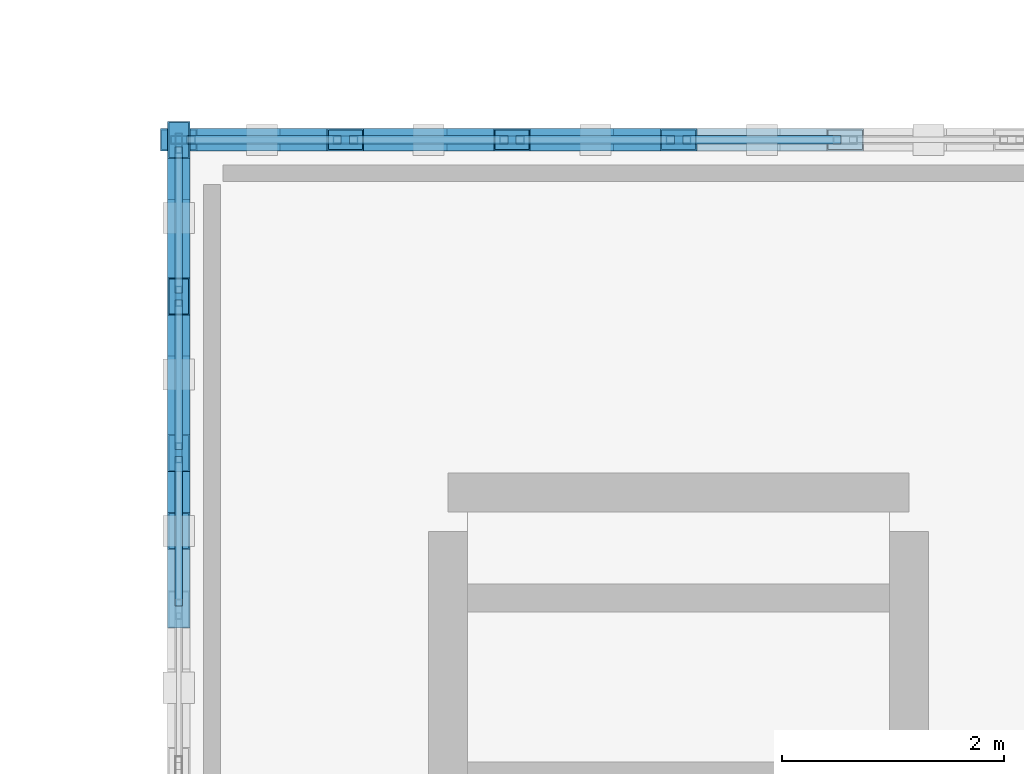
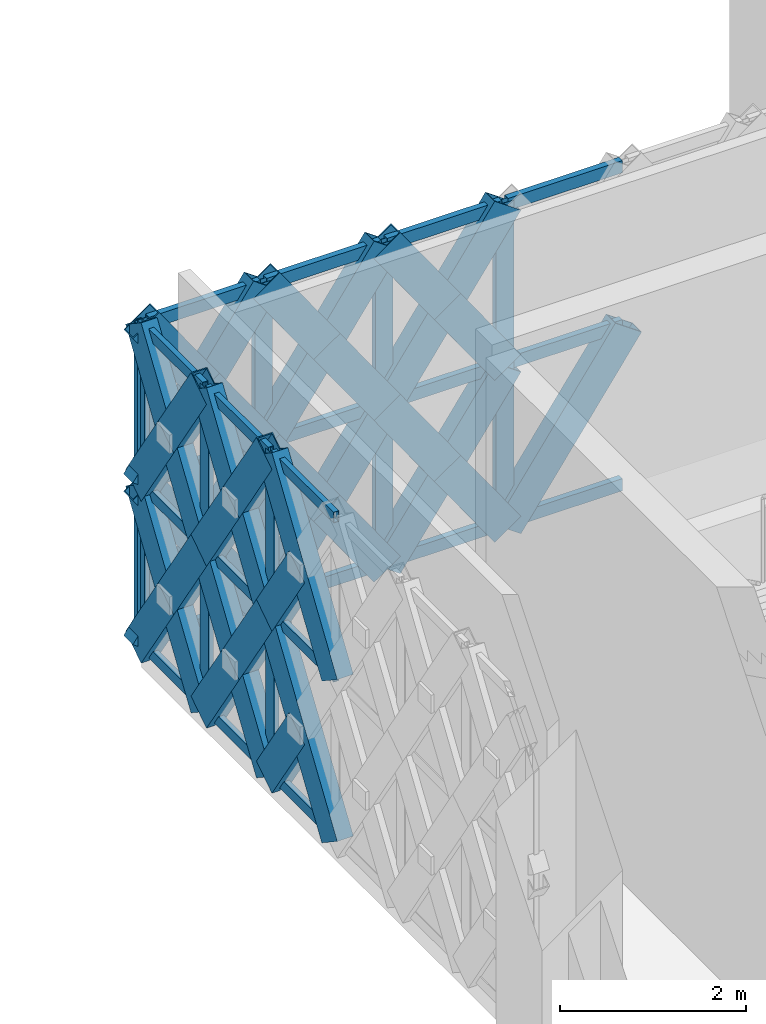
# One storey, part 51 of 140: 63 members, 2 elements without a shape of their own.
"""IFC4 building model written with IfcOpenShell, lengths in metres."""

import ifcopenshell
import ifcopenshell.guid

model = None  # the IFC model being written
_history = None  # IfcOwnerHistory: only IFC2X3 demands one
_inside = {}  # id of a spatial element -> (the spatial element, [elements in it])
_under = {}  # id of a project, library or spatial element -> (it, [spatial elements below it])
_declared = {}  # id of a project -> (the project, [libraries it declares])
_typed = {}  # id of a type object -> (the type object, [elements of that type])
_made_of = {}  # id of a material, layer set ... -> (it, [elements and type objects made of it])


def new_model(schema):
    """Start an empty IFC model of exactly this schema.

    Asked for "IFC4X3", IfcOpenShell would pick the latest addendum, in which some entities
    have other attributes; the version numbers below select the first issue.
    IFC2X3 requires an IfcOwnerHistory on every rooted entity: one is made here for all.
    """
    global model, _history
    if schema == "IFC4X3":
        model = ifcopenshell.file(schema_version=(4, 3, 0, 0))
    else:
        model = ifcopenshell.file(schema=schema)
    _inside.clear()
    _under.clear()
    _declared.clear()
    _typed.clear()
    _made_of.clear()
    _history = None
    if model.schema == "IFC2X3":
        org = make("IfcOrganization", Name="unknown")
        user = make(
            "IfcPersonAndOrganization",
            ThePerson=make("IfcPerson", FamilyName="unknown"),
            TheOrganization=org,
        )
        app = make(
            "IfcApplication",
            ApplicationDeveloper=org,
            Version="unknown",
            ApplicationFullName="unknown",
            ApplicationIdentifier="unknown",
        )
        _history = make(
            "IfcOwnerHistory",
            OwningUser=user,
            OwningApplication=app,
            ChangeAction="ADDED",
            CreationDate=0,
        )
    return model


def make(cls, **values):
    """One entity of the class cls with the attributes given. An attribute that is None is left unset."""
    return model.create_entity(
        cls, **{name: value for name, value in values.items() if value is not None}
    )


def rooted(cls, **values):
    """An entity with a GlobalId (a new one), such as an element, a storey or a relation."""
    return make(cls, GlobalId=ifcopenshell.guid.new(), OwnerHistory=_history, **values)


def si_unit(unit_type, name, prefix=None):
    """IfcSIUnit, for example si_unit("LENGTHUNIT", "METRE", prefix="MILLI")."""
    return make("IfcSIUnit", UnitType=unit_type, Prefix=prefix, Name=name)


def assignment(units):
    """IfcUnitAssignment: the units of a project."""
    return None if units is None else make("IfcUnitAssignment", Units=units)


def point(xyz):
    """IfcCartesianPoint."""
    return None if xyz is None else make("IfcCartesianPoint", Coordinates=xyz)


def direction(xyz):
    """IfcDirection."""
    return None if xyz is None else make("IfcDirection", DirectionRatios=xyz)


def frame(location, z_axis=None, x_axis=None):
    """IfcAxis2Placement3D, a coordinate frame: its origin and axes. An axis left out is left unset."""
    return make(
        "IfcAxis2Placement3D",
        Location=point(location),
        Axis=direction(z_axis),
        RefDirection=direction(x_axis),
    )


def frame_2d(location, x_axis=None):
    """IfcAxis2Placement2D, a coordinate frame in the plane: its origin and x axis."""
    return make(
        "IfcAxis2Placement2D", Location=point(location), RefDirection=direction(x_axis)
    )


def origin():
    """The frame at (0, 0, 0) with its axes left unset."""
    return frame((0.0, 0.0, 0.0))


def origin_2d():
    """The frame at (0, 0) in the plane with its x axis left unset."""
    return frame_2d((0.0, 0.0))


def place(relative_to, where):
    """IfcLocalPlacement: puts the frame where relative to a parent placement (None: the world)."""
    return make(
        "IfcLocalPlacement", PlacementRelTo=relative_to, RelativePlacement=where
    )


def context(
    kind, dimensions, precision=None, world=None, true_north=None, identifier=None
):
    """IfcGeometricRepresentationContext, for example the 3D "Model" context."""
    return make(
        "IfcGeometricRepresentationContext",
        ContextIdentifier=identifier,
        ContextType=kind,
        CoordinateSpaceDimension=dimensions,
        Precision=precision,
        WorldCoordinateSystem=world,
        TrueNorth=true_north,
    )


def subcontext(parent, identifier, kind, view, scale=None):
    """IfcGeometricRepresentationSubContext, for example "Body" below "Model"."""
    return make(
        "IfcGeometricRepresentationSubContext",
        ContextIdentifier=identifier,
        ContextType=kind,
        ParentContext=parent,
        TargetScale=scale,
        TargetView=view,
    )


def project(units=None, contexts=None):
    """IfcProject with its units and contexts."""
    return rooted(
        "IfcProject",
        Name="project",
        RepresentationContexts=contexts,
        UnitsInContext=assignment(units),
    )


def spatial(cls, under=None, at=None, **own):
    """A site, building, storey or space (cls), placed at a placement, below another one or the project."""
    s = rooted(cls, ObjectPlacement=at, **own)
    if under is not None:
        _under.setdefault(under.id(), (under, []))[1].append(s)
    return s


def profile(cls, at=None, kind="AREA", **sizes):
    """A parametric profile (cls). Its sizes go by their IFC names, for example OverallWidth=200.0."""
    return make(cls, ProfileType=kind, Position=at, **sizes)


def hollow_rectangle(**sizes):
    """IfcRectangleHollowProfileDef."""
    return profile("IfcRectangleHollowProfileDef", **sizes)


def extrude(swept, where, along, depth):
    """IfcExtrudedAreaSolid: the profile swept, set in the frame where, extruded along a direction by depth."""
    return make(
        "IfcExtrudedAreaSolid",
        SweptArea=swept,
        Position=where,
        ExtrudedDirection=direction(along),
        Depth=depth,
    )


def shape(context_of_items, identifier, shape_type, items):
    """IfcShapeRepresentation: the items that make up one representation, for example the "Body"."""
    return make(
        "IfcShapeRepresentation",
        ContextOfItems=context_of_items,
        RepresentationIdentifier=identifier,
        RepresentationType=shape_type,
        Items=items,
    )


def material(Name=None, Category=None):
    """IfcMaterial."""
    return make("IfcMaterial", Name=Name, Category=Category)


def material_profile(
    of_material, cross_section, Name=None, Category=None, Priority=None
):
    """IfcMaterialProfile: a cross section and its material."""
    return make(
        "IfcMaterialProfile",
        Name=Name,
        Material=of_material,
        Profile=cross_section,
        Priority=Priority,
        Category=Category,
    )


def profile_set(profiles, Name=None, composite=None):
    """IfcMaterialProfileSet."""
    return make(
        "IfcMaterialProfileSet",
        Name=Name,
        MaterialProfiles=profiles,
        CompositeProfile=composite,
    )


def made_of(thing, what):
    """Note that an element or type object is made of a material, layer set ...; save() writes the relation."""
    if what is not None:
        _made_of.setdefault(what.id(), (what, []))[1].append(thing)
    return thing


def type_object(cls, material=None, **own):
    """A type object (cls), such as IfcWallType, which elements share."""
    return made_of(rooted(cls, **own), material)


def element(
    cls,
    number,
    at=None,
    inside=None,
    cuts=None,
    type_object=None,
    material=None,
    context=None,
    identifier="Body",
    shape_type=None,
    held_by="IfcProductDefinitionShape",
    body=None,
    shapes=None,
    **own,
):
    """One element of the class cls, such as IfcWall. Its Tag is "e" and its number.

    at: its placement. inside: the storey or other place that contains it. cuts: it is an
    opening in that element (IfcRelVoidsElement). A single representation is given by context,
    identifier, shape_type and body (its items); several are given by shapes. held_by: the class
    of the entity that holds the representations. save() writes the other relations.
    """
    e = rooted(cls, Tag="e%d" % number, ObjectPlacement=at, **own)
    if body is not None:
        shapes = [shape(context, identifier, shape_type, body)]
    if shapes is not None:
        e.Representation = make(held_by, Representations=shapes)
    if inside is not None:
        _inside.setdefault(inside.id(), (inside, []))[1].append(e)
    if cuts is not None:
        rooted(
            "IfcRelVoidsElement", RelatingBuildingElement=cuts, RelatedOpeningElement=e
        )
    if type_object is not None:
        _typed.setdefault(type_object.id(), (type_object, []))[1].append(e)
    return made_of(e, material)


def aggregate(whole, parts):
    """IfcRelAggregates: a whole, such as a stair, and the parts it consists of."""
    return rooted("IfcRelAggregates", RelatingObject=whole, RelatedObjects=parts)


def save(model, path):
    """Write the relations noted so far, then the file.

    IfcRelAggregates (storeys below a building ...), IfcRelContainedInSpatialStructure (elements
    in a storey), IfcRelDefinesByType, IfcRelAssociatesMaterial and IfcRelDeclares: one each for
    every whole, place, type object, material and project.
    """
    for whole, parts in _under.values():
        aggregate(whole, parts)
    for where, things in _inside.values():
        rooted(
            "IfcRelContainedInSpatialStructure",
            RelatedElements=things,
            RelatingStructure=where,
        )
    for kind, things in _typed.values():
        rooted("IfcRelDefinesByType", RelatedObjects=things, RelatingType=kind)
    for what, things in _made_of.values():
        rooted("IfcRelAssociatesMaterial", RelatedObjects=things, RelatingMaterial=what)
    for by, libraries in _declared.values():
        rooted("IfcRelDeclares", RelatingContext=by, RelatedDefinitions=libraries)
    model.write(path)


model = new_model("IFC4")

# Units and contexts
model_context = context("Model", 3, precision=1e-05, world=origin(), true_north=direction((0.0, 1.0)))
body_context = subcontext(model_context, "Body", "Model", "MODEL_VIEW")
ifc_project = project(units=[si_unit("LENGTHUNIT", "METRE"), si_unit("AREAUNIT", "SQUARE_METRE"), si_unit("VOLUMEUNIT", "CUBIC_METRE"), si_unit("PLANEANGLEUNIT", "RADIAN"), si_unit("MASSUNIT", "GRAM", prefix="KILO")], contexts=[model_context])

# Site, building, storey
site_placement = place(None, origin())
site = spatial("IfcSite", under=ifc_project, at=site_placement, CompositionType="ELEMENT")
building_placement = place(site_placement, origin())
building = spatial("IfcBuilding", under=site, at=building_placement, Name="Haizhuo Lancet Aquarium", CompositionType="ELEMENT")
storey_placement = place(building_placement, origin())
storey = spatial("IfcBuildingStorey", under=building, at=storey_placement, Name="L00", CompositionType="ELEMENT", Elevation=0.0)

# Curtain wall, members
ifc_material_1 = material(Name="Aluminium 6063-T6", Category="aluminium")
curtain_wall_type_1 = type_object("IfcCurtainWallType", Name="CWD-8460x4260", PredefinedType="NOTDEFINED", material=ifc_material_1)
curtain_wall_1_placement = place(storey_placement, origin())
curtain_wall_1 = element("IfcCurtainWall", 1, at=curtain_wall_1_placement, inside=storey, type_object=curtain_wall_type_1, Name="L00 curtain wall CW-V5-L00-115", PredefinedType="NOTDEFINED")
ifc_material_profile_1 = material_profile(ifc_material_1, hollow_rectangle(XDim=0.06494140625, YDim=0.179931640625, WallThickness=0.00390625, at=origin_2d()), Name="ALU-M 65x180x4")
ifc_profile_set_1 = profile_set([ifc_material_profile_1], Name="Aluminium 6063-T6")
member_type_1 = type_object("IfcMemberType", Name="CW-MUL-1", PredefinedType="MULLION", material=ifc_profile_set_1)
member_1_placement = place(storey_placement, frame((-27.0, 51.181884765625, 0.0), z_axis=(0.0, 0.0, 1.0), x_axis=(-1.0, 0.0, 0.0)))
member_1 = element("IfcMember", 2, at=member_1_placement, type_object=member_type_1, Name="CWD-84x42 mullion 5", PredefinedType="MULLION", context=body_context, shape_type="SweptSolid", body=[
    extrude(hollow_rectangle(XDim=0.06494140625, YDim=0.179931640625, WallThickness=0.00390625, at=origin_2d()), origin(), (0.0, 0.0, 1.0), 4.2548828125),
])
member_2_placement = place(storey_placement, frame((-27.0, 52.591064453125, 0.0), z_axis=(0.0, 0.0, 1.0), x_axis=(-1.0, 0.0, 0.0)))
member_2 = element("IfcMember", 3, at=member_2_placement, type_object=member_type_1, Name="CWD-84x42 mullion 6", PredefinedType="MULLION", context=body_context, shape_type="SweptSolid", body=[
    extrude(hollow_rectangle(XDim=0.06494140625, YDim=0.179931640625, WallThickness=0.00390625, at=origin_2d()), origin(), (0.0, 0.0, 1.0), 4.2548828125),
])
member_3_placement = place(storey_placement, frame((-27.0, 53.968017578125, 0.0), z_axis=(0.0, 0.0, 1.0), x_axis=(-1.0, 0.0, 0.0)))
member_3 = element("IfcMember", 4, at=member_3_placement, type_object=member_type_1, Name="CWD-84x42 mullion 7", PredefinedType="MULLION", context=body_context, shape_type="SweptSolid", body=[
    extrude(hollow_rectangle(XDim=0.06494140625, YDim=0.179931640625, WallThickness=0.00390625, at=origin_2d()), origin(), (0.0, 0.0, 1.0), 4.2548828125),
])

curtain_wall_type_2 = type_object("IfcCurtainWallType", Name="CWD-9000x4260", PredefinedType="NOTDEFINED", material=ifc_material_1)
curtain_wall_2_placement = place(storey_placement, origin())
curtain_wall_2 = element("IfcCurtainWall", 5, at=curtain_wall_2_placement, inside=storey, type_object=curtain_wall_type_2, Name="L00 curtain wall CW-V5-L00-116", PredefinedType="NOTDEFINED")
ifc_material_profile_2 = material_profile(ifc_material_1, hollow_rectangle(XDim=0.074951171875, YDim=0.219970703125, WallThickness=0.0048828125, at=origin_2d()), Name="ALU-M 75x220x5")
ifc_profile_set_2 = profile_set([ifc_material_profile_2], Name="Aluminium 6063-T6")
member_type_2 = type_object("IfcMemberType", Name="CW-MUL-2", PredefinedType="MULLION", material=ifc_profile_set_2)
member_4_placement = place(storey_placement, frame((-26.9619140625, 54.0, 0.0), z_axis=(0.0, 0.0, 1.0), x_axis=(0.0, 1.0, 0.0)))
member_4 = element("IfcMember", 6, at=member_4_placement, type_object=member_type_2, Name="CWD-90x42 mullion 1", PredefinedType="MULLION", context=body_context, shape_type="SweptSolid", body=[
    extrude(hollow_rectangle(XDim=0.074951171875, YDim=0.219970703125, WallThickness=0.0048828125, at=origin_2d()), origin(), (0.0, 0.0, 1.0), 4.2548828125),
])
member_5_placement = place(storey_placement, frame((-25.5, 54.0, 0.0), z_axis=(0.0, 0.0, 1.0), x_axis=(0.0, 1.0, 0.0)))
member_5 = element("IfcMember", 7, at=member_5_placement, type_object=member_type_2, Name="CWD-90x42 mullion 2", PredefinedType="MULLION", context=body_context, shape_type="SweptSolid", body=[
    extrude(hollow_rectangle(XDim=0.074951171875, YDim=0.219970703125, WallThickness=0.0048828125, at=origin_2d()), origin(), (0.0, 0.0, 1.0), 4.2548828125),
])
member_6_placement = place(storey_placement, frame((-24.0, 54.0, 0.0), z_axis=(0.0, 0.0, 1.0), x_axis=(0.0, 1.0, 0.0)))
member_6 = element("IfcMember", 8, at=member_6_placement, type_object=member_type_2, Name="CWD-90x42 mullion 3", PredefinedType="MULLION", context=body_context, shape_type="SweptSolid", body=[
    extrude(hollow_rectangle(XDim=0.074951171875, YDim=0.219970703125, WallThickness=0.0048828125, at=origin_2d()), origin(), (0.0, 0.0, 1.0), 4.2548828125),
])
member_7_placement = place(storey_placement, frame((-22.5, 54.0, 0.0), z_axis=(0.0, 0.0, 1.0), x_axis=(0.0, 1.0, 0.0)))
member_7 = element("IfcMember", 9, at=member_7_placement, type_object=member_type_2, Name="CWD-90x42 mullion 4", PredefinedType="MULLION", context=body_context, shape_type="SweptSolid", body=[
    extrude(hollow_rectangle(XDim=0.074951171875, YDim=0.219970703125, WallThickness=0.0048828125, at=origin_2d()), origin(), (0.0, 0.0, 1.0), 4.2548828125),
])

# Member
ifc_material_profile_3 = material_profile(ifc_material_1, hollow_rectangle(XDim=0.06494140625, YDim=0.139892578125, WallThickness=0.00390625, at=origin_2d()), Name="ALU-T 65x140x4")
ifc_profile_set_3 = profile_set([ifc_material_profile_3], Name="Aluminium 6063-T6")
member_type_3 = type_object("IfcMemberType", Name="CW-TRN-1", PredefinedType="NOTDEFINED", material=ifc_profile_set_3)
member_8_placement = place(storey_placement, frame((-27.0, 49.804931640625, 0.032958984375), z_axis=(0.0, 1.0, 0.0), x_axis=(-1.0, 0.0, 0.0)))
member_8 = element("IfcMember", 10, at=member_8_placement, type_object=member_type_3, Name="CWD-84x42 transom 4.1", ObjectType="TRANSOM", PredefinedType="USERDEFINED", context=body_context, shape_type="SweptSolid", body=[
    extrude(hollow_rectangle(XDim=0.06494140625, YDim=0.139892578125, WallThickness=0.00390625, at=origin_2d()), origin(), (0.0, 0.0, 1.0), 1.343994140625),
])

member_9_placement = place(storey_placement, frame((-27.0, 49.804931640625, 2.126953125), z_axis=(0.0, 1.0, 0.0), x_axis=(-1.0, 0.0, 0.0)))
member_9 = element("IfcMember", 11, at=member_9_placement, type_object=member_type_3, Name="CWD-84x42 transom 4.2", ObjectType="TRANSOM", PredefinedType="USERDEFINED", context=body_context, shape_type="SweptSolid", body=[
    extrude(hollow_rectangle(XDim=0.06494140625, YDim=0.139892578125, WallThickness=0.00390625, at=origin_2d()), origin(), (0.0, 0.0, 1.0), 1.343994140625),
])

member_10_placement = place(storey_placement, frame((-27.0, 49.804931640625, 4.222900390625), z_axis=(0.0, 1.0, 0.0), x_axis=(-1.0, 0.0, 0.0)))
member_10 = element("IfcMember", 12, at=member_10_placement, type_object=member_type_3, Name="CWD-84x42 transom 4.3", ObjectType="TRANSOM", PredefinedType="USERDEFINED", context=body_context, shape_type="SweptSolid", body=[
    extrude(hollow_rectangle(XDim=0.06494140625, YDim=0.139892578125, WallThickness=0.00390625, at=origin_2d()), origin(), (0.0, 0.0, 1.0), 1.343994140625),
])

member_11_placement = place(storey_placement, frame((-27.0, 51.214111328125, 0.032958984375), z_axis=(0.0, 1.0, 0.0), x_axis=(-1.0, 0.0, 0.0)))
member_11 = element("IfcMember", 13, at=member_11_placement, type_object=member_type_3, Name="CWD-84x42 transom 5.1", ObjectType="TRANSOM", PredefinedType="USERDEFINED", context=body_context, shape_type="SweptSolid", body=[
    extrude(hollow_rectangle(XDim=0.06494140625, YDim=0.139892578125, WallThickness=0.00390625, at=origin_2d()), origin(), (0.0, 0.0, 1.0), 1.343994140625),
])

member_12_placement = place(storey_placement, frame((-27.0, 51.214111328125, 2.126953125), z_axis=(0.0, 1.0, 0.0), x_axis=(-1.0, 0.0, 0.0)))
member_12 = element("IfcMember", 14, at=member_12_placement, type_object=member_type_3, Name="CWD-84x42 transom 5.2", ObjectType="TRANSOM", PredefinedType="USERDEFINED", context=body_context, shape_type="SweptSolid", body=[
    extrude(hollow_rectangle(XDim=0.06494140625, YDim=0.139892578125, WallThickness=0.00390625, at=origin_2d()), origin(), (0.0, 0.0, 1.0), 1.343994140625),
])

member_13_placement = place(storey_placement, frame((-27.0, 51.214111328125, 4.222900390625), z_axis=(0.0, 1.0, 0.0), x_axis=(-1.0, 0.0, 0.0)))
member_13 = element("IfcMember", 15, at=member_13_placement, type_object=member_type_3, Name="CWD-84x42 transom 5.3", ObjectType="TRANSOM", PredefinedType="USERDEFINED", context=body_context, shape_type="SweptSolid", body=[
    extrude(hollow_rectangle(XDim=0.06494140625, YDim=0.139892578125, WallThickness=0.00390625, at=origin_2d()), origin(), (0.0, 0.0, 1.0), 1.343994140625),
])

member_14_placement = place(storey_placement, frame((-27.0, 52.623046875, 0.032958984375), z_axis=(0.0, 1.0, 0.0), x_axis=(-1.0, 0.0, 0.0)))
member_14 = element("IfcMember", 16, at=member_14_placement, type_object=member_type_3, Name="CWD-84x42 transom 6.1", ObjectType="TRANSOM", PredefinedType="USERDEFINED", context=body_context, shape_type="SweptSolid", body=[
    extrude(hollow_rectangle(XDim=0.06494140625, YDim=0.139892578125, WallThickness=0.00390625, at=origin_2d()), origin(), (0.0, 0.0, 1.0), 1.31201171875),
])

member_15_placement = place(storey_placement, frame((-27.0, 52.623046875, 2.126953125), z_axis=(0.0, 1.0, 0.0), x_axis=(-1.0, 0.0, 0.0)))
member_15 = element("IfcMember", 17, at=member_15_placement, type_object=member_type_3, Name="CWD-84x42 transom 6.2", ObjectType="TRANSOM", PredefinedType="USERDEFINED", context=body_context, shape_type="SweptSolid", body=[
    extrude(hollow_rectangle(XDim=0.06494140625, YDim=0.139892578125, WallThickness=0.00390625, at=origin_2d()), origin(), (0.0, 0.0, 1.0), 1.31201171875),
])

member_16_placement = place(storey_placement, frame((-27.0, 52.623046875, 4.222900390625), z_axis=(0.0, 1.0, 0.0), x_axis=(-1.0, 0.0, 0.0)))
member_16 = element("IfcMember", 18, at=member_16_placement, type_object=member_type_3, Name="CWD-84x42 transom 6.3", ObjectType="TRANSOM", PredefinedType="USERDEFINED", context=body_context, shape_type="SweptSolid", body=[
    extrude(hollow_rectangle(XDim=0.06494140625, YDim=0.139892578125, WallThickness=0.00390625, at=origin_2d()), origin(), (0.0, 0.0, 1.0), 1.31201171875),
])

aggregate(curtain_wall_1, [member_1, member_2, member_3, member_8, member_9, member_10, member_11, member_12, member_13, member_14, member_15, member_16])

ifc_material_profile_4 = material_profile(ifc_material_1, hollow_rectangle(XDim=0.074951171875, YDim=0.159912109375, WallThickness=0.00390625, at=origin_2d()), Name="ALU-T 75x160x4")
ifc_profile_set_4 = profile_set([ifc_material_profile_4], Name="Aluminium 6063-T6")
member_type_4 = type_object("IfcMemberType", Name="CW-TRN-2", PredefinedType="NOTDEFINED", material=ifc_profile_set_4)
member_17_placement = place(storey_placement, frame((-26.925048828125, 54.0, 0.037109375), z_axis=(1.0, 0.0, 0.0), x_axis=(0.0, 1.0, 0.0)))
member_17 = element("IfcMember", 19, at=member_17_placement, type_object=member_type_4, Name="CWD-90x42 transom 1.1", ObjectType="TRANSOM", PredefinedType="USERDEFINED", context=body_context, shape_type="SweptSolid", body=[
    extrude(hollow_rectangle(XDim=0.074951171875, YDim=0.159912109375, WallThickness=0.00390625, at=origin_2d()), origin(), (0.0, 0.0, 1.0), 1.386962890625),
])

member_18_placement = place(storey_placement, frame((-26.925048828125, 54.0, 2.126953125), z_axis=(1.0, 0.0, 0.0), x_axis=(0.0, 1.0, 0.0)))
member_18 = element("IfcMember", 20, at=member_18_placement, type_object=member_type_4, Name="CWD-90x42 transom 1.2", ObjectType="TRANSOM", PredefinedType="USERDEFINED", context=body_context, shape_type="SweptSolid", body=[
    extrude(hollow_rectangle(XDim=0.074951171875, YDim=0.159912109375, WallThickness=0.00390625, at=origin_2d()), origin(), (0.0, 0.0, 1.0), 1.386962890625),
])

member_19_placement = place(storey_placement, frame((-26.925048828125, 54.0, 4.218017578125), z_axis=(1.0, 0.0, 0.0), x_axis=(0.0, 1.0, 0.0)))
member_19 = element("IfcMember", 21, at=member_19_placement, type_object=member_type_4, Name="CWD-90x42 transom 1.3", ObjectType="TRANSOM", PredefinedType="USERDEFINED", context=body_context, shape_type="SweptSolid", body=[
    extrude(hollow_rectangle(XDim=0.074951171875, YDim=0.159912109375, WallThickness=0.00390625, at=origin_2d()), origin(), (0.0, 0.0, 1.0), 1.386962890625),
])

member_20_placement = place(storey_placement, frame((-25.4619140625, 54.0, 0.037109375), z_axis=(1.0, 0.0, 0.0), x_axis=(0.0, 1.0, 0.0)))
member_20 = element("IfcMember", 22, at=member_20_placement, type_object=member_type_4, Name="CWD-90x42 transom 2.1", ObjectType="TRANSOM", PredefinedType="USERDEFINED", context=body_context, shape_type="SweptSolid", body=[
    extrude(hollow_rectangle(XDim=0.074951171875, YDim=0.159912109375, WallThickness=0.00390625, at=origin_2d()), origin(), (0.0, 0.0, 1.0), 1.423828125),
])

member_21_placement = place(storey_placement, frame((-25.4619140625, 54.0, 2.126953125), z_axis=(1.0, 0.0, 0.0), x_axis=(0.0, 1.0, 0.0)))
member_21 = element("IfcMember", 23, at=member_21_placement, type_object=member_type_4, Name="CWD-90x42 transom 2.2", ObjectType="TRANSOM", PredefinedType="USERDEFINED", context=body_context, shape_type="SweptSolid", body=[
    extrude(hollow_rectangle(XDim=0.074951171875, YDim=0.159912109375, WallThickness=0.00390625, at=origin_2d()), origin(), (0.0, 0.0, 1.0), 1.423828125),
])

member_22_placement = place(storey_placement, frame((-25.4619140625, 54.0, 4.218017578125), z_axis=(1.0, 0.0, 0.0), x_axis=(0.0, 1.0, 0.0)))
member_22 = element("IfcMember", 24, at=member_22_placement, type_object=member_type_4, Name="CWD-90x42 transom 2.3", ObjectType="TRANSOM", PredefinedType="USERDEFINED", context=body_context, shape_type="SweptSolid", body=[
    extrude(hollow_rectangle(XDim=0.074951171875, YDim=0.159912109375, WallThickness=0.00390625, at=origin_2d()), origin(), (0.0, 0.0, 1.0), 1.423828125),
])

member_23_placement = place(storey_placement, frame((-23.9619140625, 54.0, 0.037109375), z_axis=(1.0, 0.0, 0.0), x_axis=(0.0, 1.0, 0.0)))
member_23 = element("IfcMember", 25, at=member_23_placement, type_object=member_type_4, Name="CWD-90x42 transom 3.1", ObjectType="TRANSOM", PredefinedType="USERDEFINED", context=body_context, shape_type="SweptSolid", body=[
    extrude(hollow_rectangle(XDim=0.074951171875, YDim=0.159912109375, WallThickness=0.00390625, at=origin_2d()), origin(), (0.0, 0.0, 1.0), 1.423828125),
])

member_24_placement = place(storey_placement, frame((-23.9619140625, 54.0, 2.126953125), z_axis=(1.0, 0.0, 0.0), x_axis=(0.0, 1.0, 0.0)))
member_24 = element("IfcMember", 26, at=member_24_placement, type_object=member_type_4, Name="CWD-90x42 transom 3.2", ObjectType="TRANSOM", PredefinedType="USERDEFINED", context=body_context, shape_type="SweptSolid", body=[
    extrude(hollow_rectangle(XDim=0.074951171875, YDim=0.159912109375, WallThickness=0.00390625, at=origin_2d()), origin(), (0.0, 0.0, 1.0), 1.423828125),
])

member_25_placement = place(storey_placement, frame((-23.9619140625, 54.0, 4.218017578125), z_axis=(1.0, 0.0, 0.0), x_axis=(0.0, 1.0, 0.0)))
member_25 = element("IfcMember", 27, at=member_25_placement, type_object=member_type_4, Name="CWD-90x42 transom 3.3", ObjectType="TRANSOM", PredefinedType="USERDEFINED", context=body_context, shape_type="SweptSolid", body=[
    extrude(hollow_rectangle(XDim=0.074951171875, YDim=0.159912109375, WallThickness=0.00390625, at=origin_2d()), origin(), (0.0, 0.0, 1.0), 1.423828125),
])

member_26_placement = place(storey_placement, frame((-22.4619140625, 54.0, 0.037109375), z_axis=(1.0, 0.0, 0.0), x_axis=(0.0, 1.0, 0.0)))
member_26 = element("IfcMember", 28, at=member_26_placement, type_object=member_type_4, Name="CWD-90x42 transom 4.1", ObjectType="TRANSOM", PredefinedType="USERDEFINED", context=body_context, shape_type="SweptSolid", body=[
    extrude(hollow_rectangle(XDim=0.074951171875, YDim=0.159912109375, WallThickness=0.00390625, at=origin_2d()), origin(), (0.0, 0.0, 1.0), 1.423828125),
])

member_27_placement = place(storey_placement, frame((-22.4619140625, 54.0, 2.126953125), z_axis=(1.0, 0.0, 0.0), x_axis=(0.0, 1.0, 0.0)))
member_27 = element("IfcMember", 29, at=member_27_placement, type_object=member_type_4, Name="CWD-90x42 transom 4.2", ObjectType="TRANSOM", PredefinedType="USERDEFINED", context=body_context, shape_type="SweptSolid", body=[
    extrude(hollow_rectangle(XDim=0.074951171875, YDim=0.159912109375, WallThickness=0.00390625, at=origin_2d()), origin(), (0.0, 0.0, 1.0), 1.423828125),
])

member_28_placement = place(storey_placement, frame((-22.4619140625, 54.0, 4.218017578125), z_axis=(1.0, 0.0, 0.0), x_axis=(0.0, 1.0, 0.0)))
member_28 = element("IfcMember", 30, at=member_28_placement, type_object=member_type_4, Name="CWD-90x42 transom 4.3", ObjectType="TRANSOM", PredefinedType="USERDEFINED", context=body_context, shape_type="SweptSolid", body=[
    extrude(hollow_rectangle(XDim=0.074951171875, YDim=0.159912109375, WallThickness=0.00390625, at=origin_2d()), origin(), (0.0, 0.0, 1.0), 1.423828125),
])

aggregate(curtain_wall_2, [member_4, member_5, member_6, member_7, member_17, member_18, member_19, member_20, member_21, member_22, member_23, member_24, member_25, member_26, member_27, member_28])

# Members
ifc_material_2 = material(Name="Steel S355", Category="steel")
ifc_material_profile_5 = material_profile(ifc_material_2, hollow_rectangle(XDim=0.199951171875, YDim=0.39990234375, WallThickness=0.011962890625, at=origin_2d()), Name="RHS 200x400x12")
ifc_profile_set_5 = profile_set([ifc_material_profile_5], Name="Steel S355")
member_type_5 = type_object("IfcMemberType", Name="MEM-LB-RHS200x400", PredefinedType="BRACE", material=ifc_profile_set_5)
member_29_placement = place(storey_placement, frame((-27.0, 49.77294921875, 0.0), z_axis=(0.0, 0.552246566071, 0.833680832371), x_axis=(-1.0, 0.0, 0.0)))
element("IfcMember", 31, at=member_29_placement, inside=storey, type_object=member_type_5, Name="Gothic lancet continuous diagonal brace CW-V5-L00-115 7A", PredefinedType="BRACE", context=body_context, shape_type="SweptSolid", body=[
    extrude(hollow_rectangle(XDim=0.199951171875, YDim=0.39990234375, WallThickness=0.011962890625, at=origin_2d()), origin(), (0.0, 0.0, 1.0), 2.55126953125),
])
member_30_placement = place(storey_placement, frame((-27.0, 51.181884765625, 0.0), z_axis=(0.0, -0.55209014717, 0.833784426215), x_axis=(1.0, 0.0, 0.0)))
element("IfcMember", 32, at=member_30_placement, inside=storey, type_object=member_type_5, Name="Gothic lancet split diagonal brace CW-V5-L00-115 7B1", PredefinedType="BRACE", context=body_context, shape_type="SweptSolid", body=[
    extrude(hollow_rectangle(XDim=0.199951171875, YDim=0.39990234375, WallThickness=0.011962890625, at=origin_2d()), origin(), (0.0, 0.0, 1.0), 1.27490234375),
])
member_31_placement = place(storey_placement, frame((-27.0, 49.77294921875, 2.126953125), z_axis=(0.0, 0.552070382016, 0.833797513369), x_axis=(-1.0, 0.0, 0.0)))
element("IfcMember", 33, at=member_31_placement, inside=storey, type_object=member_type_5, Name="Gothic lancet continuous diagonal brace CW-V5-L00-115 8A", PredefinedType="BRACE", context=body_context, shape_type="SweptSolid", body=[
    extrude(hollow_rectangle(XDim=0.199951171875, YDim=0.39990234375, WallThickness=0.011962890625, at=origin_2d()), origin(), (0.0, 0.0, 1.0), 2.552001953125),
])
member_32_placement = place(storey_placement, frame((-27.0, 51.181884765625, 2.126953125), z_axis=(0.0, -0.55173771742, 0.834017680374), x_axis=(1.0, 0.0, 0.0)))
element("IfcMember", 34, at=member_32_placement, inside=storey, type_object=member_type_5, Name="Gothic lancet split diagonal brace CW-V5-L00-115 8B1", PredefinedType="BRACE", context=body_context, shape_type="SweptSolid", body=[
    extrude(hollow_rectangle(XDim=0.199951171875, YDim=0.39990234375, WallThickness=0.011962890625, at=origin_2d()), origin(), (0.0, 0.0, 1.0), 1.275634765625),
])
member_33_placement = place(storey_placement, frame((-27.0, 51.181884765625, 0.0), z_axis=(0.0, 0.552313069978, 0.83363677506), x_axis=(-1.0, 0.0, 0.0)))
element("IfcMember", 35, at=member_33_placement, inside=storey, type_object=member_type_5, Name="Gothic lancet continuous diagonal brace CW-V5-L00-115 9A", PredefinedType="BRACE", context=body_context, shape_type="SweptSolid", body=[
    extrude(hollow_rectangle(XDim=0.199951171875, YDim=0.39990234375, WallThickness=0.011962890625, at=origin_2d()), origin(), (0.0, 0.0, 1.0), 2.551513671875),
])
member_34_placement = place(storey_placement, frame((-27.0, 52.591064453125, 0.0), z_axis=(0.0, -0.552755264889, 0.833343636886), x_axis=(1.0, 0.0, 0.0)))
element("IfcMember", 36, at=member_34_placement, inside=storey, type_object=member_type_5, Name="Gothic lancet split diagonal brace CW-V5-L00-115 9B1", PredefinedType="BRACE", context=body_context, shape_type="SweptSolid", body=[
    extrude(hollow_rectangle(XDim=0.199951171875, YDim=0.39990234375, WallThickness=0.011962890625, at=origin_2d()), origin(), (0.0, 0.0, 1.0), 1.275634765625),
])
member_35_placement = place(storey_placement, frame((-27.0, 51.885986328125, 1.06298828125), z_axis=(0.0, -0.551870814878, 0.833929615547), x_axis=(1.0, 0.0, 0.0)))
element("IfcMember", 37, at=member_35_placement, inside=storey, type_object=member_type_5, Name="Gothic lancet split diagonal brace CW-V5-L00-115 9B2", PredefinedType="BRACE", context=body_context, shape_type="SweptSolid", body=[
    extrude(hollow_rectangle(XDim=0.199951171875, YDim=0.39990234375, WallThickness=0.011962890625, at=origin_2d()), origin(), (0.0, 0.0, 1.0), 1.27587890625),
])
member_36_placement = place(storey_placement, frame((-27.0, 51.181884765625, 2.126953125), z_axis=(0.0, 0.55213688332, 0.833753478), x_axis=(-1.0, 0.0, 0.0)))
element("IfcMember", 38, at=member_36_placement, inside=storey, type_object=member_type_5, Name="Gothic lancet continuous diagonal brace CW-V5-L00-115 10A", PredefinedType="BRACE", context=body_context, shape_type="SweptSolid", body=[
    extrude(hollow_rectangle(XDim=0.199951171875, YDim=0.39990234375, WallThickness=0.011962890625, at=origin_2d()), origin(), (0.0, 0.0, 1.0), 2.55224609375),
])
member_37_placement = place(storey_placement, frame((-27.0, 52.591064453125, 2.126953125), z_axis=(0.0, -0.552402783183, 0.833577330025), x_axis=(1.0, 0.0, 0.0)))
element("IfcMember", 39, at=member_37_placement, inside=storey, type_object=member_type_5, Name="Gothic lancet split diagonal brace CW-V5-L00-115 10B1", PredefinedType="BRACE", context=body_context, shape_type="SweptSolid", body=[
    extrude(hollow_rectangle(XDim=0.199951171875, YDim=0.39990234375, WallThickness=0.011962890625, at=origin_2d()), origin(), (0.0, 0.0, 1.0), 1.2763671875),
])
member_38_placement = place(storey_placement, frame((-27.0, 51.885986328125, 3.19091796875), z_axis=(0.0, -0.551870814878, 0.833929615547), x_axis=(1.0, 0.0, 0.0)))
element("IfcMember", 40, at=member_38_placement, inside=storey, type_object=member_type_5, Name="Gothic lancet split diagonal brace CW-V5-L00-115 10B2", PredefinedType="BRACE", context=body_context, shape_type="SweptSolid", body=[
    extrude(hollow_rectangle(XDim=0.199951171875, YDim=0.39990234375, WallThickness=0.011962890625, at=origin_2d()), origin(), (0.0, 0.0, 1.0), 1.27587890625),
])
member_39_placement = place(storey_placement, frame((-27.0, 52.591064453125, 0.0), z_axis=(0.0, 0.552246566071, 0.833680832371), x_axis=(-1.0, 0.0, 0.0)))
element("IfcMember", 41, at=member_39_placement, inside=storey, type_object=member_type_5, Name="Gothic lancet continuous diagonal brace CW-V5-L00-115 11A", PredefinedType="BRACE", context=body_context, shape_type="SweptSolid", body=[
    extrude(hollow_rectangle(XDim=0.199951171875, YDim=0.39990234375, WallThickness=0.011962890625, at=origin_2d()), origin(), (0.0, 0.0, 1.0), 2.55126953125),
])
member_40_placement = place(storey_placement, frame((-27.0, 54.0, 0.0), z_axis=(0.0, -0.552223255133, 0.833696273526), x_axis=(1.0, 0.0, 0.0)))
element("IfcMember", 42, at=member_40_placement, inside=storey, type_object=member_type_5, Name="Gothic lancet split diagonal brace CW-V5-L00-115 11B1", PredefinedType="BRACE", context=body_context, shape_type="SweptSolid", body=[
    extrude(hollow_rectangle(XDim=0.199951171875, YDim=0.39990234375, WallThickness=0.011962890625, at=origin_2d()), origin(), (0.0, 0.0, 1.0), 1.275146484375),
])
member_41_placement = place(storey_placement, frame((-27.0, 53.2958984375, 1.06298828125), z_axis=(0.0, -0.55226985432, 0.833665405309), x_axis=(1.0, 0.0, 0.0)))
element("IfcMember", 43, at=member_41_placement, inside=storey, type_object=member_type_5, Name="Gothic lancet split diagonal brace CW-V5-L00-115 11B2", PredefinedType="BRACE", context=body_context, shape_type="SweptSolid", body=[
    extrude(hollow_rectangle(XDim=0.199951171875, YDim=0.39990234375, WallThickness=0.011962890625, at=origin_2d()), origin(), (0.0, 0.0, 1.0), 1.2763671875),
])
member_42_placement = place(storey_placement, frame((-27.0, 52.591064453125, 2.126953125), z_axis=(0.0, 0.552070382016, 0.833797513369), x_axis=(-1.0, 0.0, 0.0)))
element("IfcMember", 44, at=member_42_placement, inside=storey, type_object=member_type_5, Name="Gothic lancet continuous diagonal brace CW-V5-L00-115 12A", PredefinedType="BRACE", context=body_context, shape_type="SweptSolid", body=[
    extrude(hollow_rectangle(XDim=0.199951171875, YDim=0.39990234375, WallThickness=0.011962890625, at=origin_2d()), origin(), (0.0, 0.0, 1.0), 2.552001953125),
])
member_43_placement = place(storey_placement, frame((-27.0, 54.0, 2.126953125), z_axis=(0.0, -0.551870814878, 0.833929615547), x_axis=(1.0, 0.0, 0.0)))
element("IfcMember", 45, at=member_43_placement, inside=storey, type_object=member_type_5, Name="Gothic lancet split diagonal brace CW-V5-L00-115 12B1", PredefinedType="BRACE", context=body_context, shape_type="SweptSolid", body=[
    extrude(hollow_rectangle(XDim=0.199951171875, YDim=0.39990234375, WallThickness=0.011962890625, at=origin_2d()), origin(), (0.0, 0.0, 1.0), 1.27587890625),
])
member_44_placement = place(storey_placement, frame((-27.0, 53.2958984375, 3.19091796875), z_axis=(0.0, -0.55226985432, 0.833665405309), x_axis=(1.0, 0.0, 0.0)))
element("IfcMember", 46, at=member_44_placement, inside=storey, type_object=member_type_5, Name="Gothic lancet split diagonal brace CW-V5-L00-115 12B2", PredefinedType="BRACE", context=body_context, shape_type="SweptSolid", body=[
    extrude(hollow_rectangle(XDim=0.199951171875, YDim=0.39990234375, WallThickness=0.011962890625, at=origin_2d()), origin(), (0.0, 0.0, 1.0), 1.2763671875),
])
member_45_placement = place(storey_placement, frame((-27.0, 54.0, 0.0), z_axis=(0.576329592678, 0.0, 0.817217352118), x_axis=(0.0, 1.0, 0.0)))
element("IfcMember", 47, at=member_45_placement, inside=storey, type_object=member_type_5, Name="Gothic lancet continuous diagonal brace CW-V5-L00-116 1A", PredefinedType="BRACE", context=body_context, shape_type="SweptSolid", body=[
    extrude(hollow_rectangle(XDim=0.199951171875, YDim=0.39990234375, WallThickness=0.011962890625, at=origin_2d()), origin(), (0.0, 0.0, 1.0), 2.602783203125),
])
member_46_placement = place(storey_placement, frame((-25.5, 54.0, 0.0), z_axis=(-0.576506354413, 0.0, 0.817092665076), x_axis=(0.0, -1.0, 0.0)))
element("IfcMember", 48, at=member_46_placement, inside=storey, type_object=member_type_5, Name="Gothic lancet split diagonal brace CW-V5-L00-116 1B1", PredefinedType="BRACE", context=body_context, shape_type="SweptSolid", body=[
    extrude(hollow_rectangle(XDim=0.199951171875, YDim=0.39990234375, WallThickness=0.011962890625, at=origin_2d()), origin(), (0.0, 0.0, 1.0), 1.301025390625),
])
member_47_placement = place(storey_placement, frame((-26.25, 54.0, 1.06298828125), z_axis=(-0.57615291237, 0.0, 0.817341924514), x_axis=(0.0, -1.0, 0.0)))
element("IfcMember", 49, at=member_47_placement, inside=storey, type_object=member_type_5, Name="Gothic lancet split diagonal brace CW-V5-L00-116 1B2", PredefinedType="BRACE", context=body_context, shape_type="SweptSolid", body=[
    extrude(hollow_rectangle(XDim=0.199951171875, YDim=0.39990234375, WallThickness=0.011962890625, at=origin_2d()), origin(), (0.0, 0.0, 1.0), 1.3017578125),
])
member_48_placement = place(storey_placement, frame((-27.0, 54.0, 2.126953125), z_axis=(0.57615291237, 0.0, 0.817341924514), x_axis=(0.0, 1.0, 0.0)))
element("IfcMember", 50, at=member_48_placement, inside=storey, type_object=member_type_5, Name="Gothic lancet continuous diagonal brace CW-V5-L00-116 2A", PredefinedType="BRACE", context=body_context, shape_type="SweptSolid", body=[
    extrude(hollow_rectangle(XDim=0.199951171875, YDim=0.39990234375, WallThickness=0.011962890625, at=origin_2d()), origin(), (0.0, 0.0, 1.0), 2.603515625),
])
for number, where, z_axis, x_axis, name in (
    (51, (-25.5, 54.0, 2.126953125), (-0.57615291237, 0.0, 0.817341924514), (0.0, -1.0, 0.0), "Gothic lancet split diagonal brace CW-V5-L00-116 2B1"),
    (52, (-26.25, 54.0, 3.19091796875), (-0.57615291237, 0.0, 0.817341924514), (0.0, -1.0, 0.0), "Gothic lancet split diagonal brace CW-V5-L00-116 2B2"),
):
    element("IfcMember", number, at=place(storey_placement, frame(where, z_axis=z_axis, x_axis=x_axis)), inside=storey, type_object=member_type_5, Name=name, PredefinedType="BRACE", context=body_context, shape_type="SweptSolid", body=[
        extrude(hollow_rectangle(XDim=0.199951171875, YDim=0.39990234375, WallThickness=0.011962890625, at=origin_2d()), origin(), (0.0, 0.0, 1.0), 1.3017578125),
    ])
member_49_placement = place(storey_placement, frame((-25.5, 54.0, 0.0), z_axis=(0.576329592678, 0.0, 0.817217352118), x_axis=(0.0, 1.0, 0.0)))
element("IfcMember", 53, at=member_49_placement, inside=storey, type_object=member_type_5, Name="Gothic lancet continuous diagonal brace CW-V5-L00-116 3A", PredefinedType="BRACE", context=body_context, shape_type="SweptSolid", body=[
    extrude(hollow_rectangle(XDim=0.199951171875, YDim=0.39990234375, WallThickness=0.011962890625, at=origin_2d()), origin(), (0.0, 0.0, 1.0), 2.602783203125),
])
member_50_placement = place(storey_placement, frame((-24.0, 54.0, 0.0), z_axis=(-0.576506354413, 0.0, 0.817092665076), x_axis=(0.0, -1.0, 0.0)))
element("IfcMember", 54, at=member_50_placement, inside=storey, type_object=member_type_5, Name="Gothic lancet split diagonal brace CW-V5-L00-116 3B1", PredefinedType="BRACE", context=body_context, shape_type="SweptSolid", body=[
    extrude(hollow_rectangle(XDim=0.199951171875, YDim=0.39990234375, WallThickness=0.011962890625, at=origin_2d()), origin(), (0.0, 0.0, 1.0), 1.301025390625),
])
member_51_placement = place(storey_placement, frame((-24.75, 54.0, 1.06298828125), z_axis=(-0.57615291237, 0.0, 0.817341924514), x_axis=(0.0, -1.0, 0.0)))
element("IfcMember", 55, at=member_51_placement, inside=storey, type_object=member_type_5, Name="Gothic lancet split diagonal brace CW-V5-L00-116 3B2", PredefinedType="BRACE", context=body_context, shape_type="SweptSolid", body=[
    extrude(hollow_rectangle(XDim=0.199951171875, YDim=0.39990234375, WallThickness=0.011962890625, at=origin_2d()), origin(), (0.0, 0.0, 1.0), 1.3017578125),
])
member_52_placement = place(storey_placement, frame((-25.5, 54.0, 2.126953125), z_axis=(0.57615291237, 0.0, 0.817341924514), x_axis=(0.0, 1.0, 0.0)))
element("IfcMember", 56, at=member_52_placement, inside=storey, type_object=member_type_5, Name="Gothic lancet continuous diagonal brace CW-V5-L00-116 4A", PredefinedType="BRACE", context=body_context, shape_type="SweptSolid", body=[
    extrude(hollow_rectangle(XDim=0.199951171875, YDim=0.39990234375, WallThickness=0.011962890625, at=origin_2d()), origin(), (0.0, 0.0, 1.0), 2.603515625),
])
for number, where, z_axis, x_axis, name in (
    (57, (-24.0, 54.0, 2.126953125), (-0.57615291237, 0.0, 0.817341924514), (0.0, -1.0, 0.0), "Gothic lancet split diagonal brace CW-V5-L00-116 4B1"),
    (58, (-24.75, 54.0, 3.19091796875), (-0.57615291237, 0.0, 0.817341924514), (0.0, -1.0, 0.0), "Gothic lancet split diagonal brace CW-V5-L00-116 4B2"),
):
    element("IfcMember", number, at=place(storey_placement, frame(where, z_axis=z_axis, x_axis=x_axis)), inside=storey, type_object=member_type_5, Name=name, PredefinedType="BRACE", context=body_context, shape_type="SweptSolid", body=[
        extrude(hollow_rectangle(XDim=0.199951171875, YDim=0.39990234375, WallThickness=0.011962890625, at=origin_2d()), origin(), (0.0, 0.0, 1.0), 1.3017578125),
    ])
member_53_placement = place(storey_placement, frame((-24.0, 54.0, 0.0), z_axis=(0.576329592678, 0.0, 0.817217352118), x_axis=(0.0, 1.0, 0.0)))
element("IfcMember", 59, at=member_53_placement, inside=storey, type_object=member_type_5, Name="Gothic lancet continuous diagonal brace CW-V5-L00-116 5A", PredefinedType="BRACE", context=body_context, shape_type="SweptSolid", body=[
    extrude(hollow_rectangle(XDim=0.199951171875, YDim=0.39990234375, WallThickness=0.011962890625, at=origin_2d()), origin(), (0.0, 0.0, 1.0), 2.602783203125),
])
member_54_placement = place(storey_placement, frame((-22.5, 54.0, 0.0), z_axis=(-0.576506354413, 0.0, 0.817092665076), x_axis=(0.0, -1.0, 0.0)))
element("IfcMember", 60, at=member_54_placement, inside=storey, type_object=member_type_5, Name="Gothic lancet split diagonal brace CW-V5-L00-116 5B1", PredefinedType="BRACE", context=body_context, shape_type="SweptSolid", body=[
    extrude(hollow_rectangle(XDim=0.199951171875, YDim=0.39990234375, WallThickness=0.011962890625, at=origin_2d()), origin(), (0.0, 0.0, 1.0), 1.301025390625),
])
member_55_placement = place(storey_placement, frame((-23.25, 54.0, 1.06298828125), z_axis=(-0.57615291237, 0.0, 0.817341924514), x_axis=(0.0, -1.0, 0.0)))
element("IfcMember", 61, at=member_55_placement, inside=storey, type_object=member_type_5, Name="Gothic lancet split diagonal brace CW-V5-L00-116 5B2", PredefinedType="BRACE", context=body_context, shape_type="SweptSolid", body=[
    extrude(hollow_rectangle(XDim=0.199951171875, YDim=0.39990234375, WallThickness=0.011962890625, at=origin_2d()), origin(), (0.0, 0.0, 1.0), 1.3017578125),
])
member_56_placement = place(storey_placement, frame((-24.0, 54.0, 2.126953125), z_axis=(0.57615291237, 0.0, 0.817341924514), x_axis=(0.0, 1.0, 0.0)))
element("IfcMember", 62, at=member_56_placement, inside=storey, type_object=member_type_5, Name="Gothic lancet continuous diagonal brace CW-V5-L00-116 6A", PredefinedType="BRACE", context=body_context, shape_type="SweptSolid", body=[
    extrude(hollow_rectangle(XDim=0.199951171875, YDim=0.39990234375, WallThickness=0.011962890625, at=origin_2d()), origin(), (0.0, 0.0, 1.0), 2.603515625),
])
for number, where, z_axis, x_axis, name in (
    (63, (-22.5, 54.0, 2.126953125), (-0.57615291237, 0.0, 0.817341924514), (0.0, -1.0, 0.0), "Gothic lancet split diagonal brace CW-V5-L00-116 6B1"),
    (64, (-23.25, 54.0, 3.19091796875), (-0.57615291237, 0.0, 0.817341924514), (0.0, -1.0, 0.0), "Gothic lancet split diagonal brace CW-V5-L00-116 6B2"),
):
    element("IfcMember", number, at=place(storey_placement, frame(where, z_axis=z_axis, x_axis=x_axis)), inside=storey, type_object=member_type_5, Name=name, PredefinedType="BRACE", context=body_context, shape_type="SweptSolid", body=[
        extrude(hollow_rectangle(XDim=0.199951171875, YDim=0.39990234375, WallThickness=0.011962890625, at=origin_2d()), origin(), (0.0, 0.0, 1.0), 1.3017578125),
    ])
member_57_placement = place(storey_placement, frame((-22.5, 54.0, 0.0), z_axis=(0.576329592678, 0.0, 0.817217352118), x_axis=(0.0, 1.0, 0.0)))
element("IfcMember", 65, at=member_57_placement, inside=storey, type_object=member_type_5, Name="Gothic lancet continuous diagonal brace CW-V5-L00-116 7A", PredefinedType="BRACE", context=body_context, shape_type="SweptSolid", body=[
    extrude(hollow_rectangle(XDim=0.199951171875, YDim=0.39990234375, WallThickness=0.011962890625, at=origin_2d()), origin(), (0.0, 0.0, 1.0), 2.602783203125),
])

save(model, "model.ifc")
